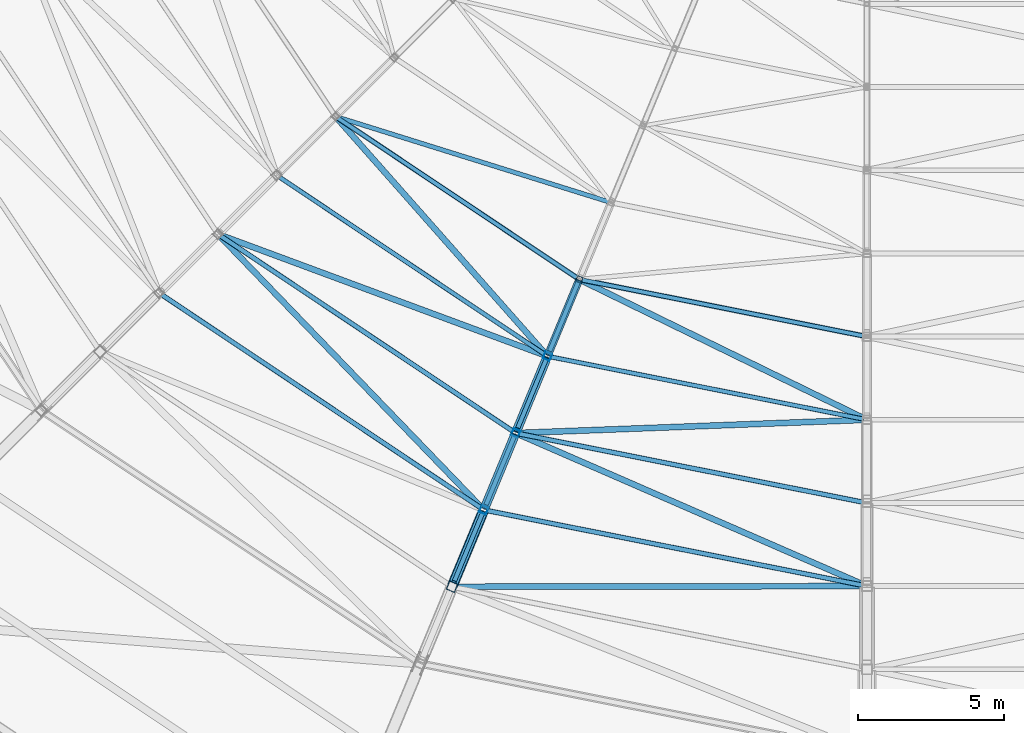
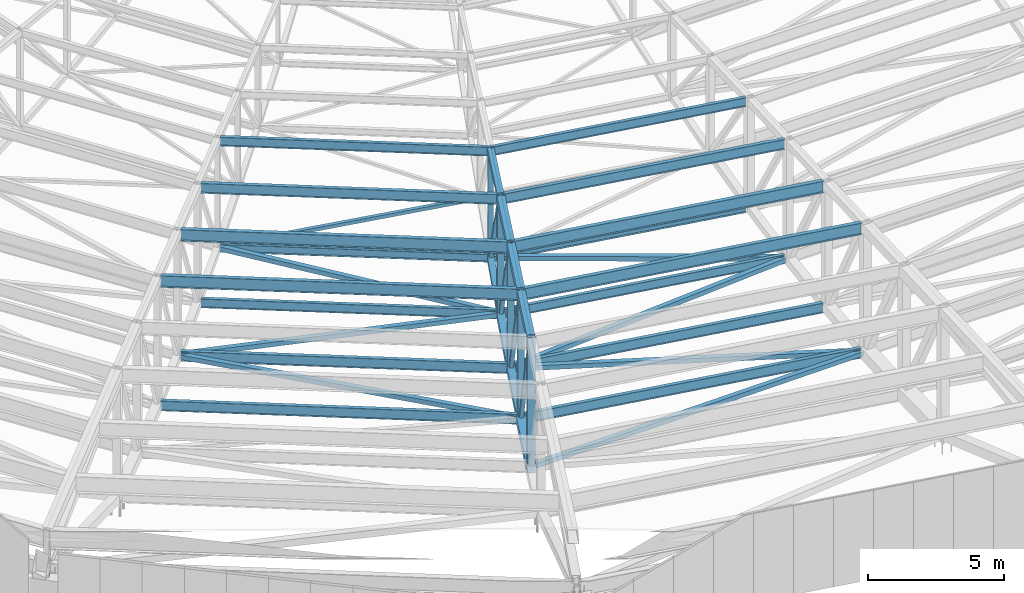
# One storey, part 6 of 278: 28 members, 13 beams.
"""IFC4 building model written with IfcOpenShell, lengths in metres."""

from ifc_helpers import new_model, si_unit, direction, frame, origin, origin_2d, place, context, subcontext, project, spatial, hollow_rectangle, i_section, extrude, material, material_profile, profile_set, type_object, element, save


model = new_model("IFC4")

# Units and contexts
model_context = context("Model", 3, precision=1e-05, world=origin(), true_north=direction((0.0, 1.0)))
body_context = subcontext(model_context, "Body", "Model", "MODEL_VIEW")
ifc_project = project(units=[si_unit("LENGTHUNIT", "METRE"), si_unit("AREAUNIT", "SQUARE_METRE"), si_unit("VOLUMEUNIT", "CUBIC_METRE"), si_unit("PLANEANGLEUNIT", "RADIAN"), si_unit("MASSUNIT", "GRAM", prefix="KILO")], contexts=[model_context])

# Site, building, storey
site_placement = place(None, origin())
site = spatial("IfcSite", under=ifc_project, at=site_placement, CompositionType="ELEMENT")
building_placement = place(site_placement, origin())
building = spatial("IfcBuilding", under=site, at=building_placement, Name="Ogive Plaza Stadium", CompositionType="ELEMENT")
storey_placement = place(building_placement, frame((0.0, 0.0, 29.0)))
storey = spatial("IfcBuildingStorey", under=building, at=storey_placement, Name="Roof", CompositionType="ELEMENT", Elevation=29.0)

# Members
ifc_material_1 = material(Name="Steel ASTM A500 Grade C", Category="steel")
ifc_material_profile_1 = material_profile(ifc_material_1, hollow_rectangle(XDim=0.15234375, YDim=0.15234375, WallThickness=0.005859375, at=origin_2d()), Name="HSS6X6X1/4")
ifc_profile_set_1 = profile_set([ifc_material_profile_1], Name="Steel ASTM A500 Grade C")
member_type_1 = type_object("IfcMemberType", Name="Roof plan brace HSS6X6X1/4", PredefinedType="BRACE", material=ifc_profile_set_1)
member_1_placement = place(storey_placement, frame((-42.8388671875, -73.63330078125, 2.434326171875), z_axis=(-0.952128458571, 0.297280996197, -0.071241895538), x_axis=(-0.29803829123, -0.954553915167, 0.0)))
element("IfcMember", 1, at=member_1_placement, inside=storey, type_object=member_type_1, Name="ROOF BRACE B18 5", PredefinedType="BRACE", context=body_context, shape_type="SweptSolid", body=[
    extrude(hollow_rectangle(XDim=0.15234375, YDim=0.15234375, WallThickness=0.005859375, at=origin_2d()), origin(), (0.0, 0.0, 1.0), 9.71533203125),
])
ifc_material_2 = material(Name="Steel ASTM A500 Grade C", Category="steel")
ifc_material_profile_2 = material_profile(ifc_material_2, hollow_rectangle(XDim=0.203125, YDim=0.203125, WallThickness=0.0087890625, at=origin_2d()), Name="HSS8X8X3/8")
ifc_profile_set_2 = profile_set([ifc_material_profile_2], Name="Steel ASTM A500 Grade C")
member_type_2 = type_object("IfcMemberType", Name="Roof plan brace HSS8X8X3/8", PredefinedType="BRACE", material=ifc_profile_set_2)
member_2_placement = place(storey_placement, frame((-43.783935546875, -76.32421875, 1.729248046875), z_axis=(0.89751424852, -0.438102005766, -0.050346859366), x_axis=(0.438658315443, 0.89865392799, 0.0)))
element("IfcMember", 2, at=member_2_placement, inside=storey, type_object=member_type_2, Name="ROOF BRACE B17 6", PredefinedType="BRACE", context=body_context, shape_type="SweptSolid", body=[
    extrude(hollow_rectangle(XDim=0.203125, YDim=0.203125, WallThickness=0.0087890625, at=origin_2d()), origin(), (0.0, 0.0, 1.0), 10.7119140625),
])
member_3_placement = place(storey_placement, frame((-34.126220703125, -81.104736328125, 1.17578125), z_axis=(-0.998586929303, -0.037835948464, -0.037317363644), x_axis=(0.03786232091, -0.999282965258, 0.0)))
element("IfcMember", 3, at=member_3_placement, inside=storey, type_object=member_type_2, Name="ROOF BRACE B17 7", PredefinedType="BRACE", context=body_context, shape_type="SweptSolid", body=[
    extrude(hollow_rectangle(XDim=0.203125, YDim=0.203125, WallThickness=0.0087890625, at=origin_2d()), origin(), (0.0, 0.0, 1.0), 11.76953125),
])
member_4_placement = place(storey_placement, frame((-45.94482421875, -81.595458984375, 0.728515625), z_axis=(0.916524746659, -0.399342381412, -0.022539990446), x_axis=(0.399443863264, 0.916757656145, 0.0)))
element("IfcMember", 4, at=member_4_placement, inside=storey, type_object=member_type_2, Name="ROOF BRACE B17 8", PredefinedType="BRACE", context=body_context, shape_type="SweptSolid", body=[
    extrude(hollow_rectangle(XDim=0.203125, YDim=0.203125, WallThickness=0.0087890625, at=origin_2d()), origin(), (0.0, 0.0, 1.0), 12.824462890625),
])
member_5_placement = place(storey_placement, frame((-34.14794921875, -86.80029296875, 0.43310546875), z_axis=(-0.999929483207, -0.001546491055, -0.01177442053), x_axis=(0.001546598266, -0.999998804016, 0.0)))
element("IfcMember", 5, at=member_5_placement, inside=storey, type_object=member_type_2, Name="ROOF BRACE B17 9", PredefinedType="BRACE", context=body_context, shape_type="SweptSolid", body=[
    extrude(hollow_rectangle(XDim=0.203125, YDim=0.203125, WallThickness=0.0087890625, at=origin_2d()), origin(), (0.0, 0.0, 1.0), 13.892333984375),
])
member_6_placement = place(storey_placement, frame((-52.15625, -70.766357421875, 1.729248046875), z_axis=(0.661529433752, -0.748227023619, -0.050350068578), x_axis=(0.74917725689, 0.662369562827, 0.0)))
element("IfcMember", 6, at=member_6_placement, inside=storey, type_object=member_type_2, Name="ROOF BRACE B18 6", PredefinedType="BRACE", context=body_context, shape_type="SweptSolid", body=[
    extrude(hollow_rectangle(XDim=0.203125, YDim=0.203125, WallThickness=0.0087890625, at=origin_2d()), origin(), (0.0, 0.0, 1.0), 10.740234375),
])
member_7_placement = place(storey_placement, frame((-45.039306640625, -78.887939453125, 1.176513671875), z_axis=(-0.937056013796, 0.347181209149, -0.037299263035), x_axis=(-0.347422966763, -0.937708527297, 0.0)))
element("IfcMember", 7, at=member_7_placement, inside=storey, type_object=member_type_2, Name="ROOF BRACE B18 7", PredefinedType="BRACE", context=body_context, shape_type="SweptSolid", body=[
    extrude(hollow_rectangle(XDim=0.203125, YDim=0.203125, WallThickness=0.0087890625, at=origin_2d()), origin(), (0.0, 0.0, 1.0), 11.794921875),
])
member_8_placement = place(storey_placement, frame((-56.169921875, -74.8095703125, 0.728515625), z_axis=(0.693929788979, -0.719689863912, -0.02253769617), x_axis=(0.719872715998, 0.694106096185, 0.0)))
element("IfcMember", 8, at=member_8_placement, inside=storey, type_object=member_type_2, Name="ROOF BRACE B18 8", PredefinedType="BRACE", context=body_context, shape_type="SweptSolid", body=[
    extrude(hollow_rectangle(XDim=0.203125, YDim=0.203125, WallThickness=0.0087890625, at=origin_2d()), origin(), (0.0, 0.0, 1.0), 12.8798828125),
])
ifc_material_3 = material(Name="Steel ASTM A992 Grade 50", Category="steel")
ifc_material_profile_3 = material_profile(ifc_material_3, i_section(OverallWidth=0.17138671875, OverallDepth=0.35498046875, WebThickness=0.00732421875, FlangeThickness=0.011474609375, at=origin_2d()), Name="W14X34")
ifc_profile_set_3 = profile_set([ifc_material_profile_3], Name="Steel ASTM A992 Grade 50")
member_type_3 = type_object("IfcMemberType", Name="Roof plan strut W14X34", PredefinedType="STRUT", material=ifc_profile_set_3)
member_9_placement = place(storey_placement, frame((-34.1396484375, -78.22216796875, 1.733154296875), z_axis=(-0.980786798777, 0.19508268848, 0.0), x_axis=(-0.19508268848, -0.980786798777, 0.0)))
element("IfcMember", 9, at=member_9_placement, inside=storey, type_object=member_type_3, Name="ROOF STRUT B17 5", PredefinedType="STRUT", context=body_context, shape_type="SweptSolid", body=[
    extrude(i_section(OverallWidth=0.17138671875, OverallDepth=0.35498046875, WebThickness=0.00732421875, FlangeThickness=0.011474609375, at=origin_2d()), origin(), (0.0, 0.0, 1.0), 9.81396484375),
])
member_10_placement = place(storey_placement, frame((-43.929443359375, -76.239501953125, 1.733154296875), z_axis=(-0.831467351597, 0.55557361639, 0.0), x_axis=(-0.55557361639, -0.831467351597, 0.0)))
element("IfcMember", 10, at=member_10_placement, inside=storey, type_object=member_type_3, Name="ROOF STRUT B18 5", PredefinedType="STRUT", context=body_context, shape_type="SweptSolid", body=[
    extrude(i_section(OverallWidth=0.17138671875, OverallDepth=0.35498046875, WebThickness=0.00732421875, FlangeThickness=0.011474609375, at=origin_2d()), origin(), (0.0, 0.0, 1.0), 9.86572265625),
])
ifc_material_4 = material(Name="Steel ASTM A992 Grade 50", Category="steel")
ifc_material_profile_4 = material_profile(ifc_material_4, i_section(OverallWidth=0.140380859375, OverallDepth=0.4033203125, WebThickness=0.007080078125, FlangeThickness=0.01123046875, at=origin_2d()), Name="W16X31")
ifc_profile_set_4 = profile_set([ifc_material_profile_4], Name="Steel ASTM A992 Grade 50")
member_type_4 = type_object("IfcMemberType", Name="Roof plan strut W16X31", PredefinedType="STRUT", material=ifc_profile_set_4)
member_11_placement = place(storey_placement, frame((-34.13671875, -81.07275390625, 1.180419921875), z_axis=(-0.980785907738, 0.195087168164, 0.0), x_axis=(-0.195087168164, -0.980785907738, 0.0)))
element("IfcMember", 11, at=member_11_placement, inside=storey, type_object=member_type_4, Name="ROOF STRUT B17 6", PredefinedType="STRUT", context=body_context, shape_type="SweptSolid", body=[
    extrude(i_section(OverallWidth=0.140380859375, OverallDepth=0.4033203125, WebThickness=0.007080078125, FlangeThickness=0.01123046875, at=origin_2d()), origin(), (0.0, 0.0, 1.0), 10.90625),
])
member_12_placement = place(storey_placement, frame((-45.0390625, -78.85986328125, 1.180419921875), z_axis=(-0.831476080974, 0.555560551847, 0.0), x_axis=(-0.555560551847, -0.831476080974, 0.0)))
element("IfcMember", 12, at=member_12_placement, inside=storey, type_object=member_type_4, Name="ROOF STRUT B18 6", PredefinedType="STRUT", context=body_context, shape_type="SweptSolid", body=[
    extrude(i_section(OverallWidth=0.140380859375, OverallDepth=0.4033203125, WebThickness=0.007080078125, FlangeThickness=0.01123046875, at=origin_2d()), origin(), (0.0, 0.0, 1.0), 10.93212890625),
])
ifc_material_5 = material(Name="Steel ASTM A992 Grade 50", Category="steel")
ifc_material_profile_5 = material_profile(ifc_material_5, i_section(OverallWidth=0.15234375, OverallDepth=0.449462890625, WebThickness=0.007568359375, FlangeThickness=0.0107421875, at=origin_2d()), Name="W18X35")
ifc_profile_set_5 = profile_set([ifc_material_profile_5], Name="Steel ASTM A992 Grade 50")
member_type_5 = type_object("IfcMemberType", Name="Roof plan strut W18X35", PredefinedType="STRUT", material=ifc_profile_set_5)
member_13_placement = place(storey_placement, frame((-34.137939453125, -83.922607421875, 0.730712890625), z_axis=(-0.980784109733, 0.195096207281, 0.0), x_axis=(-0.195096207281, -0.980784109733, 0.0)))
element("IfcMember", 13, at=member_13_placement, inside=storey, type_object=member_type_5, Name="ROOF STRUT B17 7", PredefinedType="STRUT", context=body_context, shape_type="SweptSolid", body=[
    extrude(i_section(OverallWidth=0.15234375, OverallDepth=0.449462890625, WebThickness=0.007568359375, FlangeThickness=0.0107421875, at=origin_2d()), origin(), (0.0, 0.0, 1.0), 12.015869140625),
])
member_14_placement = place(storey_placement, frame((-34.163330078125, -86.767578125, 0.434814453125), z_axis=(-0.980784397803, 0.195094759096, 0.0), x_axis=(-0.195094759096, -0.980784397803, 0.0)))
element("IfcMember", 14, at=member_14_placement, inside=storey, type_object=member_type_5, Name="ROOF STRUT B17 8", PredefinedType="STRUT", context=body_context, shape_type="SweptSolid", body=[
    extrude(i_section(OverallWidth=0.15234375, OverallDepth=0.449462890625, WebThickness=0.007568359375, FlangeThickness=0.0107421875, at=origin_2d()), origin(), (0.0, 0.0, 1.0), 13.10205078125),
])
member_15_placement = place(storey_placement, frame((-46.130615234375, -81.492431640625, 0.730712890625), z_axis=(-0.831466560266, 0.555574800687, 0.0), x_axis=(-0.555574800687, -0.831466560266, 0.0)))
element("IfcMember", 15, at=member_15_placement, inside=storey, type_object=member_type_5, Name="ROOF STRUT B18 7", PredefinedType="STRUT", context=body_context, shape_type="SweptSolid", body=[
    extrude(i_section(OverallWidth=0.15234375, OverallDepth=0.449462890625, WebThickness=0.007568359375, FlangeThickness=0.0107421875, at=origin_2d()), origin(), (0.0, 0.0, 1.0), 12.0419921875),
])
member_16_placement = place(storey_placement, frame((-47.221435546875, -84.12548828125, 0.434814453125), z_axis=(-0.831461609697, 0.555582209578, 0.0), x_axis=(-0.555582209578, -0.831461609697, 0.0)))
element("IfcMember", 16, at=member_16_placement, inside=storey, type_object=member_type_5, Name="ROOF STRUT B18 8", PredefinedType="STRUT", context=body_context, shape_type="SweptSolid", body=[
    extrude(i_section(OverallWidth=0.15234375, OverallDepth=0.449462890625, WebThickness=0.007568359375, FlangeThickness=0.0107421875, at=origin_2d()), origin(), (0.0, 0.0, 1.0), 13.154052734375),
])
ifc_material_6 = material(Name="Steel ASTM A992 Grade 50", Category="steel")
ifc_material_profile_6 = material_profile(ifc_material_6, i_section(OverallWidth=0.140380859375, OverallDepth=0.4033203125, WebThickness=0.007080078125, FlangeThickness=0.01123046875, at=origin_2d()), Name="W16X31")
ifc_profile_set_6 = profile_set([ifc_material_profile_6], Name="Steel ASTM A992 Grade 50")
member_type_6 = type_object("IfcMemberType", Name="Roof purlin W16X31", PredefinedType="PURLIN", material=ifc_profile_set_6)
member_17_placement = place(storey_placement, frame((-34.13671875, -78.222900390625, 6.5107421875), z_axis=(-0.980781911446, 0.195107258144, 0.0), x_axis=(-0.195107258144, -0.980781911446, 0.0)))
element("IfcMember", 17, at=member_17_placement, inside=storey, type_object=member_type_6, Name="ROOF PURLIN B17 5", PredefinedType="PURLIN", context=body_context, shape_type="SweptSolid", body=[
    extrude(i_section(OverallWidth=0.140380859375, OverallDepth=0.4033203125, WebThickness=0.007080078125, FlangeThickness=0.01123046875, at=origin_2d()), origin(), (0.0, 0.0, 1.0), 9.8203125),
])
member_18_placement = place(storey_placement, frame((-43.927001953125, -76.2412109375, 6.5107421875), z_axis=(-0.831467715739, 0.555573071416, 0.0), x_axis=(-0.555573071416, -0.831467715739, 0.0)))
element("IfcMember", 18, at=member_18_placement, inside=storey, type_object=member_type_6, Name="ROOF PURLIN B18 5", PredefinedType="PURLIN", context=body_context, shape_type="SweptSolid", body=[
    extrude(i_section(OverallWidth=0.140380859375, OverallDepth=0.4033203125, WebThickness=0.007080078125, FlangeThickness=0.01123046875, at=origin_2d()), origin(), (0.0, 0.0, 1.0), 9.8720703125),
])
ifc_material_7 = material(Name="Steel ASTM A992 Grade 50", Category="steel")
ifc_material_profile_7 = material_profile(ifc_material_7, i_section(OverallWidth=0.15234375, OverallDepth=0.449462890625, WebThickness=0.007568359375, FlangeThickness=0.0107421875, at=origin_2d()), Name="W18X35")
ifc_profile_set_7 = profile_set([ifc_material_profile_7], Name="Steel ASTM A992 Grade 50")
member_type_7 = type_object("IfcMemberType", Name="Roof purlin W18X35", PredefinedType="PURLIN", material=ifc_profile_set_7)
member_19_placement = place(storey_placement, frame((-34.137939453125, -81.072509765625, 6.34521484375), z_axis=(-0.980785954477, 0.195086933188, 0.0), x_axis=(-0.195086933188, -0.980785954477, 0.0)))
element("IfcMember", 19, at=member_19_placement, inside=storey, type_object=member_type_7, Name="ROOF PURLIN B17 6", PredefinedType="PURLIN", context=body_context, shape_type="SweptSolid", body=[
    extrude(i_section(OverallWidth=0.15234375, OverallDepth=0.449462890625, WebThickness=0.007568359375, FlangeThickness=0.0107421875, at=origin_2d()), origin(), (0.0, 0.0, 1.0), 10.90380859375),
])
member_20_placement = place(storey_placement, frame((-45.0400390625, -78.859375, 6.34521484375), z_axis=(-0.831462199803, 0.555581326448, 0.0), x_axis=(-0.555581326448, -0.831462199803, 0.0)))
element("IfcMember", 20, at=member_20_placement, inside=storey, type_object=member_type_7, Name="ROOF PURLIN B18 6", PredefinedType="PURLIN", context=body_context, shape_type="SweptSolid", body=[
    extrude(i_section(OverallWidth=0.15234375, OverallDepth=0.449462890625, WebThickness=0.007568359375, FlangeThickness=0.0107421875, at=origin_2d()), origin(), (0.0, 0.0, 1.0), 10.929931640625),
])
ifc_material_8 = material(Name="Steel ASTM A992 Grade 50", Category="steel")
ifc_material_profile_8 = material_profile(ifc_material_8, i_section(OverallWidth=0.1650390625, OverallDepth=0.524658203125, WebThickness=0.0087890625, FlangeThickness=0.011474609375, at=origin_2d()), Name="W21X44")
ifc_profile_set_8 = profile_set([ifc_material_profile_8], Name="Steel ASTM A992 Grade 50")
member_type_8 = type_object("IfcMemberType", Name="Roof purlin W21X44", PredefinedType="PURLIN", material=ifc_profile_set_8)
member_21_placement = place(storey_placement, frame((-34.13916015625, -83.92236328125, 6.1650390625), z_axis=(-0.980784151785, 0.195095995879, 0.0), x_axis=(-0.195095995879, -0.980784151785, 0.0)))
element("IfcMember", 21, at=member_21_placement, inside=storey, type_object=member_type_8, Name="ROOF PURLIN B17 7", PredefinedType="PURLIN", context=body_context, shape_type="SweptSolid", body=[
    extrude(i_section(OverallWidth=0.1650390625, OverallDepth=0.524658203125, WebThickness=0.0087890625, FlangeThickness=0.011474609375, at=origin_2d()), origin(), (0.0, 0.0, 1.0), 12.013427734375),
])
member_22_placement = place(storey_placement, frame((-34.16455078125, -86.767333984375, 6.022705078125), z_axis=(-0.980784436422, 0.195094564949, 0.0), x_axis=(-0.195094564949, -0.980784436422, 0.0)))
element("IfcMember", 22, at=member_22_placement, inside=storey, type_object=member_type_8, Name="ROOF PURLIN B17 8", PredefinedType="PURLIN", context=body_context, shape_type="SweptSolid", body=[
    extrude(i_section(OverallWidth=0.1650390625, OverallDepth=0.524658203125, WebThickness=0.0087890625, FlangeThickness=0.011474609375, at=origin_2d()), origin(), (0.0, 0.0, 1.0), 13.099609375),
])
member_23_placement = place(storey_placement, frame((-46.1318359375, -81.49169921875, 6.1650390625), z_axis=(-0.831466432125, 0.555574992462, 0.0), x_axis=(-0.555574992462, -0.831466432125, 0.0)))
element("IfcMember", 23, at=member_23_placement, inside=storey, type_object=member_type_8, Name="ROOF PURLIN B18 7", PredefinedType="PURLIN", context=body_context, shape_type="SweptSolid", body=[
    extrude(i_section(OverallWidth=0.1650390625, OverallDepth=0.524658203125, WebThickness=0.0087890625, FlangeThickness=0.011474609375, at=origin_2d()), origin(), (0.0, 0.0, 1.0), 12.039306640625),
])
member_24_placement = place(storey_placement, frame((-47.222412109375, -84.124755859375, 6.022705078125), z_axis=(-0.831467221436, 0.555573811188, 0.0), x_axis=(-0.555573811188, -0.831467221436, 0.0)))
element("IfcMember", 24, at=member_24_placement, inside=storey, type_object=member_type_8, Name="ROOF PURLIN B18 8", PredefinedType="PURLIN", context=body_context, shape_type="SweptSolid", body=[
    extrude(i_section(OverallWidth=0.1650390625, OverallDepth=0.524658203125, WebThickness=0.0087890625, FlangeThickness=0.011474609375, at=origin_2d()), origin(), (0.0, 0.0, 1.0), 13.151611328125),
])

# Beams
ifc_material_9 = material(Name="Steel ASTM A500 Grade C", Category="steel")
ifc_material_profile_9 = material_profile(ifc_material_9, hollow_rectangle(XDim=0.25390625, YDim=0.25390625, WallThickness=0.01171875, at=origin_2d()), Name="HSS10X10X1/2")
ifc_profile_set_9 = profile_set([ifc_material_profile_9], Name="Steel ASTM A500 Grade C")
beam_type_1 = type_object("IfcBeamType", Name="Roof truss bottom chord HSS10X10X1/2", PredefinedType="BEAM", material=ifc_profile_set_9)
beam_1_placement = place(storey_placement, frame((-43.8720703125, -76.333251953125, 1.726318359375), z_axis=(-0.375020513968, -0.905437709043, -0.198852128843), x_axis=(0.923888213913, -0.382662472935, 0.0)))
element("IfcBeam", 25, at=beam_1_placement, inside=storey, type_object=beam_type_1, Name="ROOF TRUSS T18 BOTTOM CHORD 6", PredefinedType="BEAM", context=body_context, shape_type="SweptSolid", body=[
    extrude(hollow_rectangle(XDim=0.25390625, YDim=0.25390625, WallThickness=0.01171875, at=origin_2d()), origin(), (0.0, 0.0, 1.0), 2.80908203125),
])
ifc_material_10 = material(Name="Steel ASTM A500 Grade C", Category="steel")
ifc_material_profile_10 = material_profile(ifc_material_10, hollow_rectangle(XDim=0.3046875, YDim=0.3046875, WallThickness=0.0146484375, at=origin_2d()), Name="HSS12X12X5/8")
ifc_profile_set_10 = profile_set([ifc_material_profile_10], Name="Steel ASTM A500 Grade C")
beam_type_2 = type_object("IfcBeamType", Name="Roof truss bottom chord HSS12X12X5/8", PredefinedType="BEAM", material=ifc_profile_set_10)
beam_2_placement = place(storey_placement, frame((-44.9638671875, -78.96923828125, 1.17431640625), z_axis=(-0.378060038258, -0.912570809119, -0.15583685641), x_axis=(0.923857757469, -0.382735997737, 0.0)))
element("IfcBeam", 26, at=beam_2_placement, inside=storey, type_object=beam_type_2, Name="ROOF TRUSS T18 BOTTOM CHORD 7", PredefinedType="BEAM", context=body_context, shape_type="SweptSolid", body=[
    extrude(hollow_rectangle(XDim=0.3046875, YDim=0.3046875, WallThickness=0.0146484375, at=origin_2d()), origin(), (0.0, 0.0, 1.0), 2.783935546875),
])
beam_3_placement = place(storey_placement, frame((-46.054443359375, -81.602294921875, 0.72607421875), z_axis=(-0.380326079208, -0.918040635639, -0.112042245557), x_axis=(0.923857757469, -0.382735997737, 0.0)))
element("IfcBeam", 27, at=beam_3_placement, inside=storey, type_object=beam_type_2, Name="ROOF TRUSS T18 BOTTOM CHORD 8", PredefinedType="BEAM", context=body_context, shape_type="SweptSolid", body=[
    extrude(hollow_rectangle(XDim=0.3046875, YDim=0.3046875, WallThickness=0.0146484375, at=origin_2d()), origin(), (0.0, 0.0, 1.0), 2.767333984375),
])
ifc_material_11 = material(Name="Steel ASTM A500 Grade C", Category="steel")
ifc_material_profile_11 = material_profile(ifc_material_11, hollow_rectangle(XDim=0.355712890625, YDim=0.355712890625, WallThickness=0.0146484375, at=origin_2d()), Name="HSS14X14X5/8")
ifc_profile_set_11 = profile_set([ifc_material_profile_11], Name="Steel ASTM A500 Grade C")
beam_type_3 = type_object("IfcBeamType", Name="Roof truss bottom chord HSS14X14X5/8", PredefinedType="BEAM", material=ifc_profile_set_11)
beam_4_placement = place(storey_placement, frame((-47.145263671875, -84.2353515625, 0.431884765625), z_axis=(-0.381787492455, -0.92178205255, -0.067499320012), x_axis=(0.923889147914, -0.382660217904, 0.0)))
element("IfcBeam", 28, at=beam_4_placement, inside=storey, type_object=beam_type_3, Name="ROOF TRUSS T18 BOTTOM CHORD 9", PredefinedType="BEAM", context=body_context, shape_type="SweptSolid", body=[
    extrude(hollow_rectangle(XDim=0.355712890625, YDim=0.355712890625, WallThickness=0.0146484375, at=origin_2d()), origin(), (0.0, 0.0, 1.0), 2.756103515625),
])

# Members
ifc_material_12 = material(Name="Steel ASTM A500 Grade C", Category="steel")
ifc_material_profile_12 = material_profile(ifc_material_12, hollow_rectangle(XDim=0.15234375, YDim=0.15234375, WallThickness=0.0087890625, at=origin_2d()), Name="HSS6X6X3/8")
ifc_profile_set_12 = profile_set([ifc_material_profile_12], Name="Steel ASTM A500 Grade C")
member_type_9 = type_object("IfcMemberType", Name="Roof truss diagonal HSS6X6X3/8", PredefinedType="BRACE", material=ifc_profile_set_12)
member_25_placement = place(storey_placement, frame((-43.89306640625, -76.3837890625, 1.8603515625), z_axis=(-0.194055612203, -0.468491524227, 0.861892169067), x_axis=(0.923879484396, -0.382683548526, 0.0)))
element("IfcMember", 29, at=member_25_placement, inside=storey, type_object=member_type_9, Name="ROOF TRUSS T18 DIAGONAL 6", PredefinedType="BRACE", context=body_context, shape_type="SweptSolid", body=[
    extrude(hollow_rectangle(XDim=0.15234375, YDim=0.15234375, WallThickness=0.0087890625, at=origin_2d()), origin(), (0.0, 0.0, 1.0), 5.16943359375),
])
member_26_placement = place(storey_placement, frame((-44.993408203125, -79.040283203125, 1.332763671875), z_axis=(-0.18233402805, -0.440218602007, 0.879182509302), x_axis=(0.923887313935, -0.382664645806, 0.0)))
element("IfcMember", 30, at=member_26_placement, inside=storey, type_object=member_type_9, Name="ROOF TRUSS T18 DIAGONAL 7", PredefinedType="BRACE", context=body_context, shape_type="SweptSolid", body=[
    extrude(hollow_rectangle(XDim=0.15234375, YDim=0.15234375, WallThickness=0.0087890625, at=origin_2d()), origin(), (0.0, 0.0, 1.0), 5.4482421875),
])
member_27_placement = place(storey_placement, frame((-46.083984375, -81.67333984375, 0.883056640625), z_axis=(-0.17366723306, -0.419293904541, 0.891084908287), x_axis=(0.923887313935, -0.382664645806, 0.0)))
element("IfcMember", 31, at=member_27_placement, inside=storey, type_object=member_type_9, Name="ROOF TRUSS T18 DIAGONAL 8", PredefinedType="BRACE", context=body_context, shape_type="SweptSolid", body=[
    extrude(hollow_rectangle(XDim=0.15234375, YDim=0.15234375, WallThickness=0.0087890625, at=origin_2d()), origin(), (0.0, 0.0, 1.0), 5.72021484375),
])
member_28_placement = place(storey_placement, frame((-47.174560546875, -84.306396484375, 0.612548828125), z_axis=(-0.168958194197, -0.407847472246, 0.897281208984), x_axis=(0.923861720222, -0.382726432205, 0.0)))
element("IfcMember", 32, at=member_28_placement, inside=storey, type_object=member_type_9, Name="ROOF TRUSS T18 DIAGONAL 9", PredefinedType="BRACE", context=body_context, shape_type="SweptSolid", body=[
    extrude(hollow_rectangle(XDim=0.15234375, YDim=0.15234375, WallThickness=0.0087890625, at=origin_2d()), origin(), (0.0, 0.0, 1.0), 5.8232421875),
])

# Beams
ifc_material_13 = material(Name="Steel ASTM A500 Grade C", Category="steel")
ifc_material_profile_13 = material_profile(ifc_material_13, hollow_rectangle(XDim=0.25390625, YDim=0.25390625, WallThickness=0.01171875, at=origin_2d()), Name="HSS10X10X1/2")
ifc_profile_set_13 = profile_set([ifc_material_profile_13], Name="Steel ASTM A500 Grade C")
beam_type_4 = type_object("IfcBeamType", Name="Roof truss post HSS10X10X1/2", PredefinedType="BEAM", material=ifc_profile_set_13)
beam_5_placement = place(storey_placement, frame((-44.94482421875, -78.9228515625, 1.028076171875), z_axis=(0.0, 0.0, 1.0), x_axis=(0.923879532511, -0.382683432365, 0.0)))
element("IfcBeam", 33, at=beam_5_placement, inside=storey, type_object=beam_type_4, Name="ROOF TRUSS T18 POST 7", PredefinedType="BEAM", context=body_context, shape_type="SweptSolid", body=[
    extrude(hollow_rectangle(XDim=0.25390625, YDim=0.25390625, WallThickness=0.01171875, at=origin_2d()), origin(), (0.0, 0.0, 1.0), 5.5419921875),
])
beam_6_placement = place(storey_placement, frame((-46.035400390625, -81.555908203125, 0.578369140625), z_axis=(0.0, 0.0, 1.0), x_axis=(0.923879532511, -0.382683432365, 0.0)))
element("IfcBeam", 34, at=beam_6_placement, inside=storey, type_object=beam_type_4, Name="ROOF TRUSS T18 POST 8", PredefinedType="BEAM", context=body_context, shape_type="SweptSolid", body=[
    extrude(hollow_rectangle(XDim=0.25390625, YDim=0.25390625, WallThickness=0.01171875, at=origin_2d()), origin(), (0.0, 0.0, 1.0), 5.84912109375),
])
beam_7_placement = place(storey_placement, frame((-47.1259765625, -84.18896484375, 0.257080078125), z_axis=(0.0, 0.0, 1.0), x_axis=(0.923879532511, -0.382683432365, 0.0)))
element("IfcBeam", 35, at=beam_7_placement, inside=storey, type_object=beam_type_4, Name="ROOF TRUSS T18 POST 9", PredefinedType="BEAM", context=body_context, shape_type="SweptSolid", body=[
    extrude(hollow_rectangle(XDim=0.25390625, YDim=0.25390625, WallThickness=0.01171875, at=origin_2d()), origin(), (0.0, 0.0, 1.0), 6.02783203125),
])
ifc_material_14 = material(Name="Steel ASTM A500 Grade C", Category="steel")
ifc_material_profile_14 = material_profile(ifc_material_14, hollow_rectangle(XDim=0.3046875, YDim=0.3046875, WallThickness=0.01171875, at=origin_2d()), Name="HSS12X12X1/2")
ifc_profile_set_14 = profile_set([ifc_material_profile_14], Name="Steel ASTM A500 Grade C")
beam_type_5 = type_object("IfcBeamType", Name="Roof truss post HSS12X12X1/2", PredefinedType="BEAM", material=ifc_profile_set_14)
beam_8_placement = place(storey_placement, frame((-48.216796875, -86.822021484375, 0.064208984375), z_axis=(0.0, 0.0, 1.0), x_axis=(0.923879532511, -0.382683432365, 0.0)))
element("IfcBeam", 36, at=beam_8_placement, inside=storey, type_object=beam_type_5, Name="ROOF TRUSS T18 POST 10", PredefinedType="BEAM", context=body_context, shape_type="SweptSolid", body=[
    extrude(hollow_rectangle(XDim=0.3046875, YDim=0.3046875, WallThickness=0.01171875, at=origin_2d()), origin(), (0.0, 0.0, 1.0), 6.078369140625),
])
ifc_material_15 = material(Name="Steel ASTM A500 Grade C", Category="steel")
ifc_material_profile_15 = material_profile(ifc_material_15, hollow_rectangle(XDim=0.203125, YDim=0.203125, WallThickness=0.0087890625, at=origin_2d()), Name="HSS8X8X3/8")
ifc_profile_set_15 = profile_set([ifc_material_profile_15], Name="Steel ASTM A500 Grade C")
beam_type_6 = type_object("IfcBeamType", Name="Roof truss post HSS8X8X3/8", PredefinedType="BEAM", material=ifc_profile_set_15)
beam_9_placement = place(storey_placement, frame((-43.85400390625, -76.289794921875, 1.606201171875), z_axis=(0.0, 0.0, 1.0), x_axis=(0.923879532511, -0.382683432365, 0.0)))
element("IfcBeam", 37, at=beam_9_placement, inside=storey, type_object=beam_type_6, Name="ROOF TRUSS T18 POST 6", PredefinedType="BEAM", context=body_context, shape_type="SweptSolid", body=[
    extrude(hollow_rectangle(XDim=0.203125, YDim=0.203125, WallThickness=0.0087890625, at=origin_2d()), origin(), (0.0, 0.0, 1.0), 5.106201171875),
])
ifc_material_16 = material(Name="Steel ASTM A500 Grade C", Category="steel")
ifc_material_profile_16 = material_profile(ifc_material_16, hollow_rectangle(XDim=0.25390625, YDim=0.25390625, WallThickness=0.0087890625, at=origin_2d()), Name="HSS10X10X3/8")
ifc_profile_set_16 = profile_set([ifc_material_profile_16], Name="Steel ASTM A500 Grade C")
beam_type_7 = type_object("IfcBeamType", Name="Roof truss top chord HSS10X10X3/8", PredefinedType="BEAM", material=ifc_profile_set_16)
beam_10_placement = place(storey_placement, frame((-43.873291015625, -76.336181640625, 6.582763671875), z_axis=(-0.382183063105, -0.922737112453, -0.049923216828), x_axis=(0.923889147914, -0.382660217904, 0.0)))
element("IfcBeam", 38, at=beam_10_placement, inside=storey, type_object=beam_type_7, Name="ROOF TRUSS T18 TOP CHORD 6", PredefinedType="BEAM", context=body_context, shape_type="SweptSolid", body=[
    extrude(hollow_rectangle(XDim=0.25390625, YDim=0.25390625, WallThickness=0.0087890625, at=origin_2d()), origin(), (0.0, 0.0, 1.0), 2.753173828125),
])
ifc_material_17 = material(Name="Steel ASTM A500 Grade C", Category="steel")
ifc_material_profile_17 = material_profile(ifc_material_17, hollow_rectangle(XDim=0.3046875, YDim=0.3046875, WallThickness=0.01171875, at=origin_2d()), Name="HSS12X12X1/2")
ifc_profile_set_17 = profile_set([ifc_material_profile_17], Name="Steel ASTM A500 Grade C")
beam_type_8 = type_object("IfcBeamType", Name="Roof truss top chord HSS12X12X1/2", PredefinedType="BEAM", material=ifc_profile_set_17)
beam_11_placement = place(storey_placement, frame((-47.145263671875, -84.2353515625, 6.1298828125), z_axis=(-0.382183063105, -0.922737112453, -0.049923216828), x_axis=(0.923889147914, -0.382660217904, 0.0)))
element("IfcBeam", 39, at=beam_11_placement, inside=storey, type_object=beam_type_8, Name="ROOF TRUSS T18 TOP CHORD 9", PredefinedType="BEAM", context=body_context, shape_type="SweptSolid", body=[
    extrude(hollow_rectangle(XDim=0.3046875, YDim=0.3046875, WallThickness=0.01171875, at=origin_2d()), origin(), (0.0, 0.0, 1.0), 2.753173828125),
])
ifc_material_18 = material(Name="Steel ASTM A500 Grade C", Category="steel")
ifc_material_profile_18 = material_profile(ifc_material_18, hollow_rectangle(XDim=0.3046875, YDim=0.3046875, WallThickness=0.0087890625, at=origin_2d()), Name="HSS12X12X3/8")
ifc_profile_set_18 = profile_set([ifc_material_profile_18], Name="Steel ASTM A500 Grade C")
beam_type_9 = type_object("IfcBeamType", Name="Roof truss top chord HSS12X12X3/8", PredefinedType="BEAM", material=ifc_profile_set_18)
for number, where, z_axis, x_axis, name in (
    (40, (-44.9638671875, -78.96923828125, 6.414794921875), (-0.382258780814, -0.922705839284, -0.049921524843), (0.923857757469, -0.382735997737, 0.0), "ROOF TRUSS T18 TOP CHORD 7"),
    (41, (-46.054443359375, -81.602294921875, 6.2724609375), (-0.382258780814, -0.922705839284, -0.049921524843), (0.923857757469, -0.382735997737, 0.0), "ROOF TRUSS T18 TOP CHORD 8"),
):
    element("IfcBeam", number, at=place(storey_placement, frame(where, z_axis=z_axis, x_axis=x_axis)), inside=storey, type_object=beam_type_9, Name=name, PredefinedType="BEAM", context=body_context, shape_type="SweptSolid", body=[
        extrude(hollow_rectangle(XDim=0.3046875, YDim=0.3046875, WallThickness=0.0087890625, at=origin_2d()), origin(), (0.0, 0.0, 1.0), 2.75341796875),
    ])

save(model, "model.ifc")
